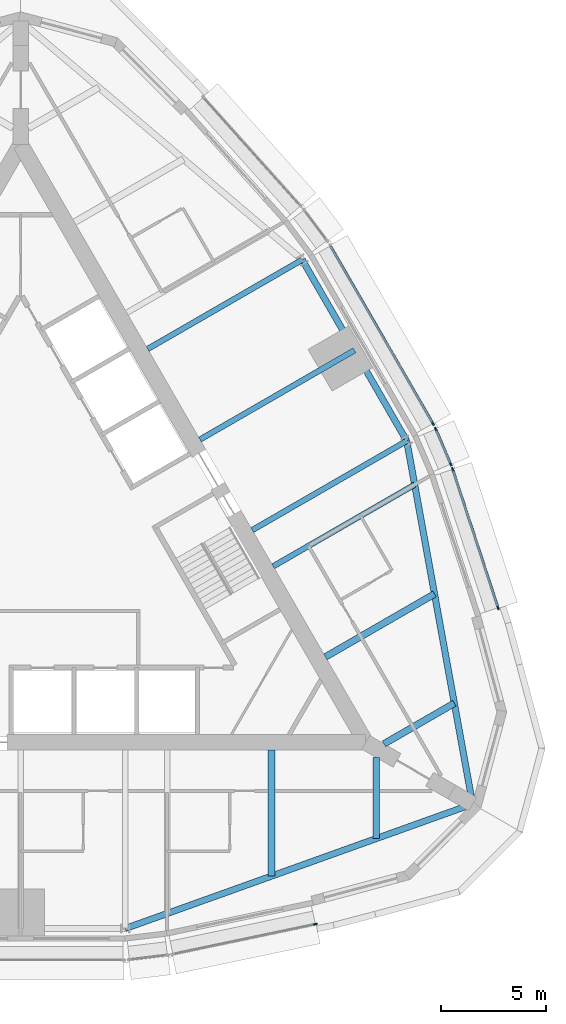
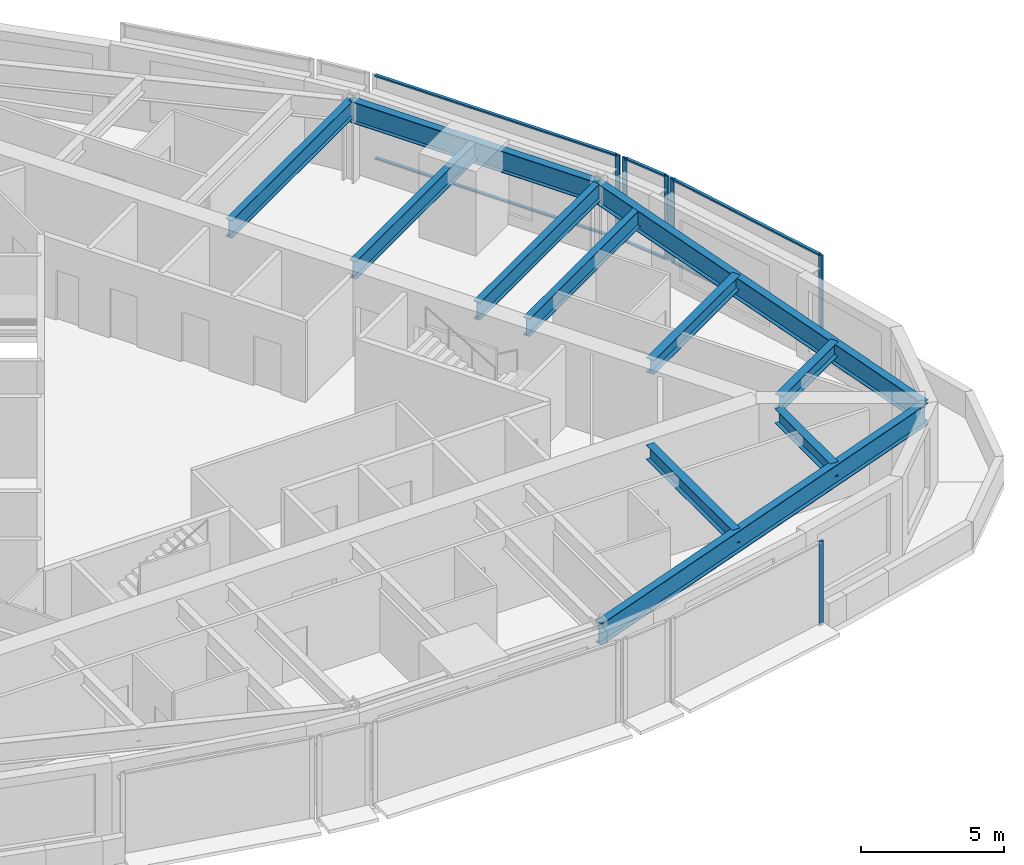
# One storey, part 4 of 13: 12 members, 11 beams, 4 elements without a shape of their own.
"""IFC4 building model written with IfcOpenShell, lengths in metres."""

from ifc_helpers import new_model, si_unit, direction, frame, origin, origin_2d, place, context, subcontext, project, spatial, rectangle, i_section, extrude, material, material_profile, profile_set, type_object, element, aggregate, save


model = new_model("IFC4")

# Units and contexts
model_context = context("Model", 3, precision=1e-05, world=origin(), true_north=direction((0.0, 1.0)))
body_context = subcontext(model_context, "Body", "Model", "MODEL_VIEW")
ifc_project = project(units=[si_unit("LENGTHUNIT", "METRE"), si_unit("AREAUNIT", "SQUARE_METRE"), si_unit("VOLUMEUNIT", "CUBIC_METRE"), si_unit("PLANEANGLEUNIT", "RADIAN"), si_unit("MASSUNIT", "GRAM", prefix="KILO")], contexts=[model_context])

# Site, building, storey
site_placement = place(None, origin())
site = spatial("IfcSite", under=ifc_project, at=site_placement, CompositionType="ELEMENT")
building_placement = place(site_placement, origin())
building = spatial("IfcBuilding", under=site, at=building_placement, Name="Trikona Tower", CompositionType="ELEMENT")
storey_placement = place(building_placement, frame((0.0, 0.0, 239.300048828125)))
storey = spatial("IfcBuildingStorey", under=building, at=storey_placement, Name="L63", CompositionType="ELEMENT", Elevation=239.300048828125)

# Curtain wall, member
ifc_material_1 = material(Name="Aluminium curtain wall system", Category="aluminium")
curtain_wall_type = type_object("IfcCurtainWallType", Name="Curtain wall DS3", PredefinedType="NOTDEFINED", material=ifc_material_1)
curtain_wall_1_placement = place(storey_placement, origin())
curtain_wall_1 = element("IfcCurtainWall", 1, at=curtain_wall_1_placement, inside=storey, type_object=curtain_wall_type, Name="Curtain wall DS3 L63", PredefinedType="NOTDEFINED")
ifc_material_2 = material(Name="Aluminium mullion, pale anodised", Category="aluminium")
ifc_material_profile_1 = material_profile(ifc_material_2, rectangle(XDim=0.070068359375, YDim=0.179931640625, at=origin_2d()), Name="MUL-DS3")
ifc_profile_set_1 = profile_set([ifc_material_profile_1], Name="Aluminium mullion, pale anodised")
member_type_1 = type_object("IfcMemberType", Name="Mullion DS3 70x180", PredefinedType="MULLION", material=ifc_profile_set_1)
member_1_placement = place(storey_placement, frame((14.092041015625, -18.220703125, 0.0), z_axis=(0.0, 0.0, 1.0), x_axis=(-0.205527448396, 0.978651351583, 0.0)))
member_1 = element("IfcMember", 2, at=member_1_placement, type_object=member_type_1, Name="CW-DS3 mullion 2", PredefinedType="MULLION", context=body_context, shape_type="SweptSolid", body=[
    extrude(rectangle(XDim=0.070068359375, YDim=0.179931640625, at=origin_2d()), origin(), (0.0, 0.0, 1.0), 3.599853515625),
])
aggregate(curtain_wall_1, [member_1])

# Curtain wall, members
curtain_wall_2_placement = place(storey_placement, origin())
curtain_wall_2 = element("IfcCurtainWall", 3, at=curtain_wall_2_placement, inside=storey, type_object=curtain_wall_type, Name="Curtain wall DS3 L63", PredefinedType="NOTDEFINED")
member_2_placement = place(storey_placement, frame((22.82568359375, -3.09375, 0.0), z_axis=(0.0, 0.0, 1.0), x_axis=(-0.95029742275, -0.311343553515, 0.0)))
member_2 = element("IfcMember", 4, at=member_2_placement, type_object=member_type_1, Name="CW-DS3 mullion 1", PredefinedType="MULLION", context=body_context, shape_type="SweptSolid", body=[
    extrude(rectangle(XDim=0.070068359375, YDim=0.179931640625, at=origin_2d()), origin(), (0.0, 0.0, 1.0), 3.599853515625),
])
member_3_placement = place(storey_placement, frame((20.657958984375, 3.52294921875, 0.0), z_axis=(0.0, 0.0, 1.0), x_axis=(-0.95029742275, -0.311343553515, 0.0)))
member_3 = element("IfcMember", 5, at=member_3_placement, type_object=member_type_1, Name="CW-DS3 mullion 2", PredefinedType="MULLION", context=body_context, shape_type="SweptSolid", body=[
    extrude(rectangle(XDim=0.070068359375, YDim=0.179931640625, at=origin_2d()), origin(), (0.0, 0.0, 1.0), 3.599853515625),
])

curtain_wall_3_placement = place(storey_placement, origin())
curtain_wall_3 = element("IfcCurtainWall", 6, at=curtain_wall_3_placement, inside=storey, type_object=curtain_wall_type, Name="Curtain wall DS3 L63", PredefinedType="NOTDEFINED")
member_4_placement = place(storey_placement, frame((20.563232421875, 3.7744140625, 0.0), z_axis=(0.0, 0.0, 1.0), x_axis=(-0.919420580163, -0.393275726143, 0.0)))
member_4 = element("IfcMember", 7, at=member_4_placement, type_object=member_type_1, Name="CW-DS3 mullion 1", PredefinedType="MULLION", context=body_context, shape_type="SweptSolid", body=[
    extrude(rectangle(XDim=0.070068359375, YDim=0.179931640625, at=origin_2d()), origin(), (0.0, 0.0, 1.0), 3.599853515625),
])
member_5_placement = place(storey_placement, frame((19.845703125, 5.45166015625, 0.0), z_axis=(0.0, 0.0, 1.0), x_axis=(-0.919420580163, -0.393275726143, 0.0)))
member_5 = element("IfcMember", 8, at=member_5_placement, type_object=member_type_1, Name="CW-DS3 mullion 2", PredefinedType="MULLION", context=body_context, shape_type="SweptSolid", body=[
    extrude(rectangle(XDim=0.070068359375, YDim=0.179931640625, at=origin_2d()), origin(), (0.0, 0.0, 1.0), 3.599853515625),
])

# Curtain wall, member
curtain_wall_4_placement = place(storey_placement, origin())
curtain_wall_4 = element("IfcCurtainWall", 9, at=curtain_wall_4_placement, inside=storey, type_object=curtain_wall_type, Name="Curtain wall DS3 L63", PredefinedType="NOTDEFINED")
member_6_placement = place(storey_placement, frame((19.712890625, 5.717529296875, 0.0), z_axis=(0.0, 0.0, 1.0), x_axis=(-0.866024619633, -0.500001358187, 0.0)))
member_6 = element("IfcMember", 10, at=member_6_placement, type_object=member_type_1, Name="CW-DS3 mullion 1", PredefinedType="MULLION", context=body_context, shape_type="SweptSolid", body=[
    extrude(rectangle(XDim=0.070068359375, YDim=0.179931640625, at=origin_2d()), origin(), (0.0, 0.0, 1.0), 3.599853515625),
])

# Beams
ifc_material_3 = material(Name="Steel ASTM A992 Grade 50", Category="steel")
ifc_material_profile_2 = material_profile(ifc_material_3, i_section(OverallWidth=0.3251953125, OverallDepth=0.612060546875, WebThickness=0.0126953125, FlangeThickness=0.01904296875, at=origin_2d()), Name="W24X104")
ifc_profile_set_2 = profile_set([ifc_material_profile_2], Name="Steel ASTM A992 Grade 50")
beam_type_1 = type_object("IfcBeamType", Name="Steel beam W24x104 (wedge upper)", PredefinedType="BEAM", material=ifc_profile_set_2)
beam_1_placement = place(storey_placement, frame((12.0, -9.9013671875, 3.12890625), z_axis=(0.0, -1.0, 0.0), x_axis=(1.0, 0.0, 0.0)))
element("IfcBeam", 11, at=beam_1_placement, inside=storey, type_object=beam_type_1, Name="Floor beam L64 F1 u12", PredefinedType="BEAM", context=body_context, shape_type="SweptSolid", body=[
    extrude(i_section(OverallWidth=0.3251953125, OverallDepth=0.612060546875, WebThickness=0.0126953125, FlangeThickness=0.01904296875, at=origin_2d()), origin(), (0.0, 0.0, 1.0), 6.02001953125),
])
beam_2_placement = place(storey_placement, frame((17.0, -10.248046875, 3.12890625), z_axis=(0.0, -1.0, 0.0), x_axis=(1.0, 0.0, 0.0)))
element("IfcBeam", 12, at=beam_2_placement, inside=storey, type_object=beam_type_1, Name="Floor beam L64 F1 u17", PredefinedType="BEAM", context=body_context, shape_type="SweptSolid", body=[
    extrude(i_section(OverallWidth=0.3251953125, OverallDepth=0.612060546875, WebThickness=0.0126953125, FlangeThickness=0.01904296875, at=origin_2d()), origin(), (0.0, 0.0, 1.0), 3.881103515625),
])
beam_3_placement = place(storey_placement, frame((17.375, -9.598388671875, 3.12890625), z_axis=(0.866024273614, 0.500001957507, 0.0), x_axis=(-0.500001957507, 0.866024273614, 0.0)))
element("IfcBeam", 13, at=beam_3_placement, inside=storey, type_object=beam_type_1, Name="Floor beam L64 F2 u-17", PredefinedType="BEAM", context=body_context, shape_type="SweptSolid", body=[
    extrude(i_section(OverallWidth=0.3251953125, OverallDepth=0.612060546875, WebThickness=0.0126953125, FlangeThickness=0.01904296875, at=origin_2d()), origin(), (0.0, 0.0, 1.0), 3.88134765625),
])
beam_4_placement = place(storey_placement, frame((14.57470703125, -5.441650390625, 3.12890625), z_axis=(0.866030935233, 0.499990419128, 0.0), x_axis=(-0.499990419128, 0.866030935233, 0.0)))
element("IfcBeam", 14, at=beam_4_placement, inside=storey, type_object=beam_type_1, Name="Floor beam L64 F2 u-12", PredefinedType="BEAM", context=body_context, shape_type="SweptSolid", body=[
    extrude(i_section(OverallWidth=0.3251953125, OverallDepth=0.612060546875, WebThickness=0.0126953125, FlangeThickness=0.01904296875, at=origin_2d()), origin(), (0.0, 0.0, 1.0), 6.02001953125),
])
ifc_material_4 = material(Name="Steel ASTM A992 Grade 50", Category="steel")
ifc_material_profile_3 = material_profile(ifc_material_4, i_section(OverallWidth=0.2666015625, OverallDepth=0.7568359375, WebThickness=0.013916015625, FlangeThickness=0.019287109375, at=origin_2d()), Name="W30X108")
ifc_profile_set_3 = profile_set([ifc_material_profile_3], Name="Steel ASTM A992 Grade 50")
beam_type_2 = type_object("IfcBeamType", Name="Steel beam W30x108 (radial upper)", PredefinedType="BEAM", material=ifc_profile_set_3)
beam_5_placement = place(storey_placement, frame((12.07470703125, -1.111572265625, 3.056396484375), z_axis=(0.866026865327, 0.499997468525, 0.0), x_axis=(-0.499997468525, 0.866026865327, 0.0)))
element("IfcBeam", 15, at=beam_5_placement, inside=storey, type_object=beam_type_2, Name="Floor beam L64 F2 u-7", PredefinedType="BEAM", context=body_context, shape_type="SweptSolid", body=[
    extrude(i_section(OverallWidth=0.2666015625, OverallDepth=0.7568359375, WebThickness=0.013916015625, FlangeThickness=0.019287109375, at=origin_2d()), origin(), (0.0, 0.0, 1.0), 7.8125),
])
beam_6_placement = place(storey_placement, frame((11.07470703125, 0.62060546875, 3.056396484375), z_axis=(0.866034481505, 0.499984276597, 0.0), x_axis=(-0.499984276597, 0.866034481505, 0.0)))
element("IfcBeam", 16, at=beam_6_placement, inside=storey, type_object=beam_type_2, Name="Floor beam L64 F2 u-5", PredefinedType="BEAM", context=body_context, shape_type="SweptSolid", body=[
    extrude(i_section(OverallWidth=0.2666015625, OverallDepth=0.7568359375, WebThickness=0.013916015625, FlangeThickness=0.019287109375, at=origin_2d()), origin(), (0.0, 0.0, 1.0), 8.529052734375),
])
for number, where, z_axis, x_axis, name in (
    (17, (8.57470703125, 4.95068359375, 3.056396484375), (0.866022086901, 0.500005744967, 0.0), (-0.500005744967, 0.866022086901, 0.0), "Floor beam L64 F2 u0"),
    (18, (6.07470703125, 9.28076171875, 3.056396484375), (0.866022086901, 0.500005744967, 0.0), (-0.500005744967, 0.866022086901, 0.0), "Floor beam L64 F2 u5"),
):
    element("IfcBeam", number, at=place(storey_placement, frame(where, z_axis=z_axis, x_axis=x_axis)), inside=storey, type_object=beam_type_2, Name=name, PredefinedType="BEAM", context=body_context, shape_type="SweptSolid", body=[
        extrude(i_section(OverallWidth=0.2666015625, OverallDepth=0.7568359375, WebThickness=0.013916015625, FlangeThickness=0.019287109375, at=origin_2d()), origin(), (0.0, 0.0, 1.0), 8.529296875),
    ])
ifc_material_5 = material(Name="Steel ASTM A992 Grade 50", Category="steel")
ifc_material_profile_4 = material_profile(ifc_material_5, i_section(OverallWidth=0.3046875, OverallDepth=0.911865234375, WebThickness=0.015869140625, FlangeThickness=0.02392578125, at=origin_2d()), Name="W36X150")
ifc_profile_set_4 = profile_set([ifc_material_profile_4], Name="Steel ASTM A992 Grade 50")
beam_type_3 = type_object("IfcBeamType", Name="Steel beam W36x150 (spandrel upper)", PredefinedType="SPANDREL", material=ifc_profile_set_4)
for number, where, z_axis, x_axis, name in (
    (19, (5.0, -18.430419921875, 2.97900390625), (0.941358144832, 0.337409014637, 0.0), (-0.337409014637, 0.941358144832, 0.0), "Spandrel beam L64 F1-3"),
    (20, (21.6103515625, -12.476806640625, 2.97900390625), (-0.178472662054, 0.983944870864, 0.0), (-0.983944870864, -0.178472662054, 0.0), "Spandrel beam L64 F2-1"),
):
    element("IfcBeam", number, at=place(storey_placement, frame(where, z_axis=z_axis, x_axis=x_axis)), inside=storey, type_object=beam_type_3, Name=name, PredefinedType="SPANDREL", context=body_context, shape_type="SweptSolid", body=[
        extrude(i_section(OverallWidth=0.3046875, OverallDepth=0.911865234375, WebThickness=0.015869140625, FlangeThickness=0.02392578125, at=origin_2d()), origin(), (0.0, 0.0, 1.0), 17.64501953125),
    ])
beam_7_placement = place(storey_placement, frame((18.461181640625, 4.885009765625, 2.97900390625), z_axis=(-0.499993662806, 0.866029062534, 0.0), x_axis=(-0.866029062534, -0.499993662806, 0.0)))
element("IfcBeam", 21, at=beam_7_placement, inside=storey, type_object=beam_type_3, Name="Spandrel beam L64 F2-2", PredefinedType="SPANDREL", context=body_context, shape_type="SweptSolid", body=[
    extrude(i_section(OverallWidth=0.3046875, OverallDepth=0.911865234375, WebThickness=0.015869140625, FlangeThickness=0.02392578125, at=origin_2d()), origin(), (0.0, 0.0, 1.0), 10.000244140625),
])

# Member
ifc_material_6 = material(Name="Aluminium transom, pale anodised", Category="aluminium")
ifc_material_profile_5 = material_profile(ifc_material_6, rectangle(XDim=0.1201171875, YDim=0.070068359375, at=origin_2d()), Name="TRN-DS3")
ifc_profile_set_5 = profile_set([ifc_material_profile_5], Name="Aluminium transom, pale anodised")
member_type_2 = type_object("IfcMemberType", Name="Transom DS3 70x120", PredefinedType="USERDEFINED", material=ifc_profile_set_5)
member_7_placement = place(storey_placement, frame((22.814697265625, -3.060302734375, 0.034912109375), z_axis=(-0.311346184, 0.950296560926, 0.0), x_axis=(-0.950296560926, -0.311346184, 0.0)))
member_7 = element("IfcMember", 22, at=member_7_placement, type_object=member_type_2, Name="CW-DS3 transom 1.1", ObjectType="TRANSOM", PredefinedType="USERDEFINED", context=body_context, shape_type="SweptSolid", body=[
    extrude(rectangle(XDim=0.1201171875, YDim=0.070068359375, at=origin_2d()), origin(), (0.0, 0.0, 1.0), 6.892578125),
])

member_8_placement = place(storey_placement, frame((22.814697265625, -3.060302734375, 3.56494140625), z_axis=(-0.311346184, 0.950296560926, 0.0), x_axis=(-0.950296560926, -0.311346184, 0.0)))
member_8 = element("IfcMember", 23, at=member_8_placement, type_object=member_type_2, Name="CW-DS3 transom 1.2", ObjectType="TRANSOM", PredefinedType="USERDEFINED", context=body_context, shape_type="SweptSolid", body=[
    extrude(rectangle(XDim=0.1201171875, YDim=0.070068359375, at=origin_2d()), origin(), (0.0, 0.0, 1.0), 6.892578125),
])

aggregate(curtain_wall_2, [member_2, member_3, member_7, member_8])

member_9_placement = place(storey_placement, frame((20.549560546875, 3.806640625, 0.034912109375), z_axis=(-0.393314512783, 0.919403988481, 0.0), x_axis=(-0.919403988481, -0.393314512783, 0.0)))
member_9 = element("IfcMember", 24, at=member_9_placement, type_object=member_type_2, Name="CW-DS3 transom 1.1", ObjectType="TRANSOM", PredefinedType="USERDEFINED", context=body_context, shape_type="SweptSolid", body=[
    extrude(rectangle(XDim=0.1201171875, YDim=0.070068359375, at=origin_2d()), origin(), (0.0, 0.0, 1.0), 1.754150390625),
])

member_10_placement = place(storey_placement, frame((20.549560546875, 3.806640625, 3.56494140625), z_axis=(-0.393314512783, 0.919403988481, 0.0), x_axis=(-0.919403988481, -0.393314512783, 0.0)))
member_10 = element("IfcMember", 25, at=member_10_placement, type_object=member_type_2, Name="CW-DS3 transom 1.2", ObjectType="TRANSOM", PredefinedType="USERDEFINED", context=body_context, shape_type="SweptSolid", body=[
    extrude(rectangle(XDim=0.1201171875, YDim=0.070068359375, at=origin_2d()), origin(), (0.0, 0.0, 1.0), 1.754150390625),
])

aggregate(curtain_wall_3, [member_4, member_5, member_9, member_10])

member_11_placement = place(storey_placement, frame((19.6953125, 5.747802734375, 0.034912109375), z_axis=(-0.500010305712, 0.866019453697, 0.0), x_axis=(-0.866019453697, -0.500010305712, 0.0)))
member_11 = element("IfcMember", 26, at=member_11_placement, type_object=member_type_2, Name="CW-DS3 transom 1.1", ObjectType="TRANSOM", PredefinedType="USERDEFINED", context=body_context, shape_type="SweptSolid", body=[
    extrude(rectangle(XDim=0.1201171875, YDim=0.070068359375, at=origin_2d()), origin(), (0.0, 0.0, 1.0), 9.739990234375),
])

member_12_placement = place(storey_placement, frame((19.6953125, 5.747802734375, 3.56494140625), z_axis=(-0.500010305712, 0.866019453697, 0.0), x_axis=(-0.866019453697, -0.500010305712, 0.0)))
member_12 = element("IfcMember", 27, at=member_12_placement, type_object=member_type_2, Name="CW-DS3 transom 1.2", ObjectType="TRANSOM", PredefinedType="USERDEFINED", context=body_context, shape_type="SweptSolid", body=[
    extrude(rectangle(XDim=0.1201171875, YDim=0.070068359375, at=origin_2d()), origin(), (0.0, 0.0, 1.0), 9.739990234375),
])

aggregate(curtain_wall_4, [member_6, member_11, member_12])

save(model, "model.ifc")
